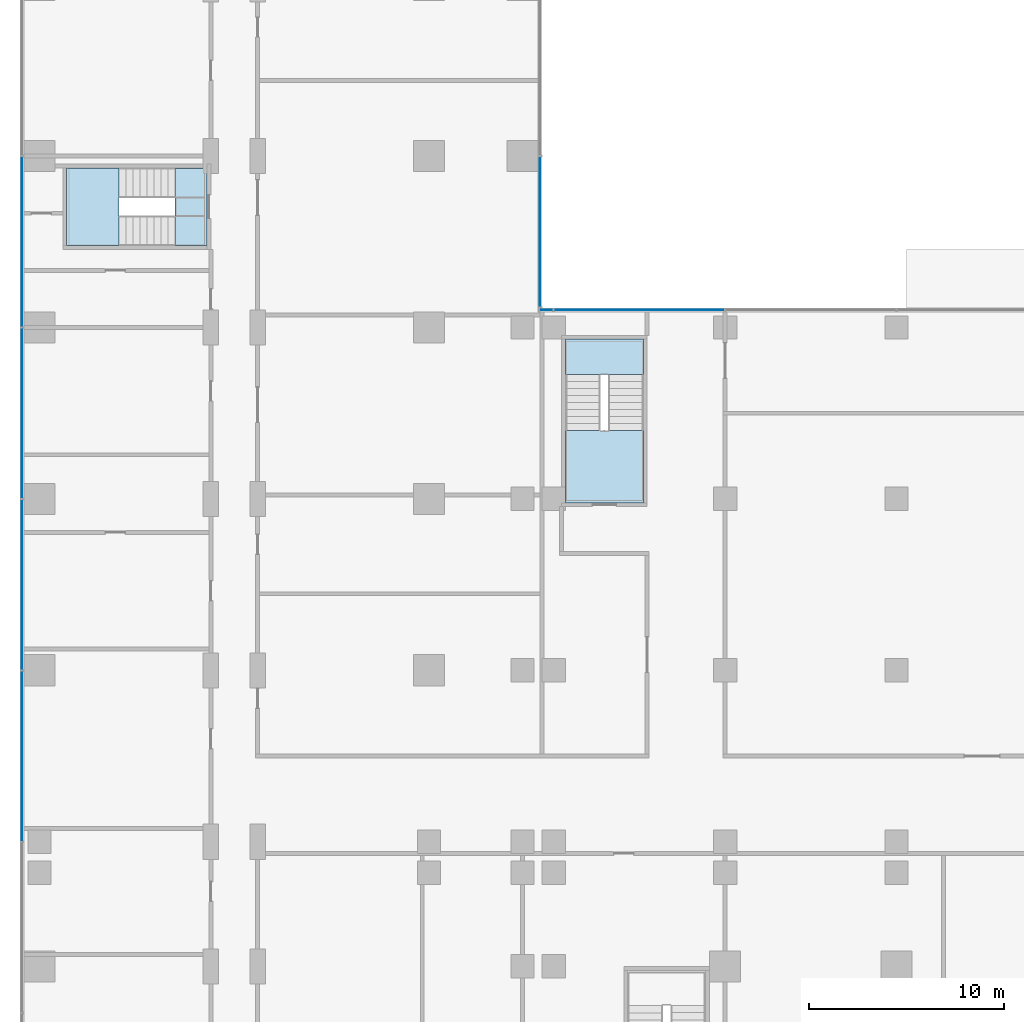
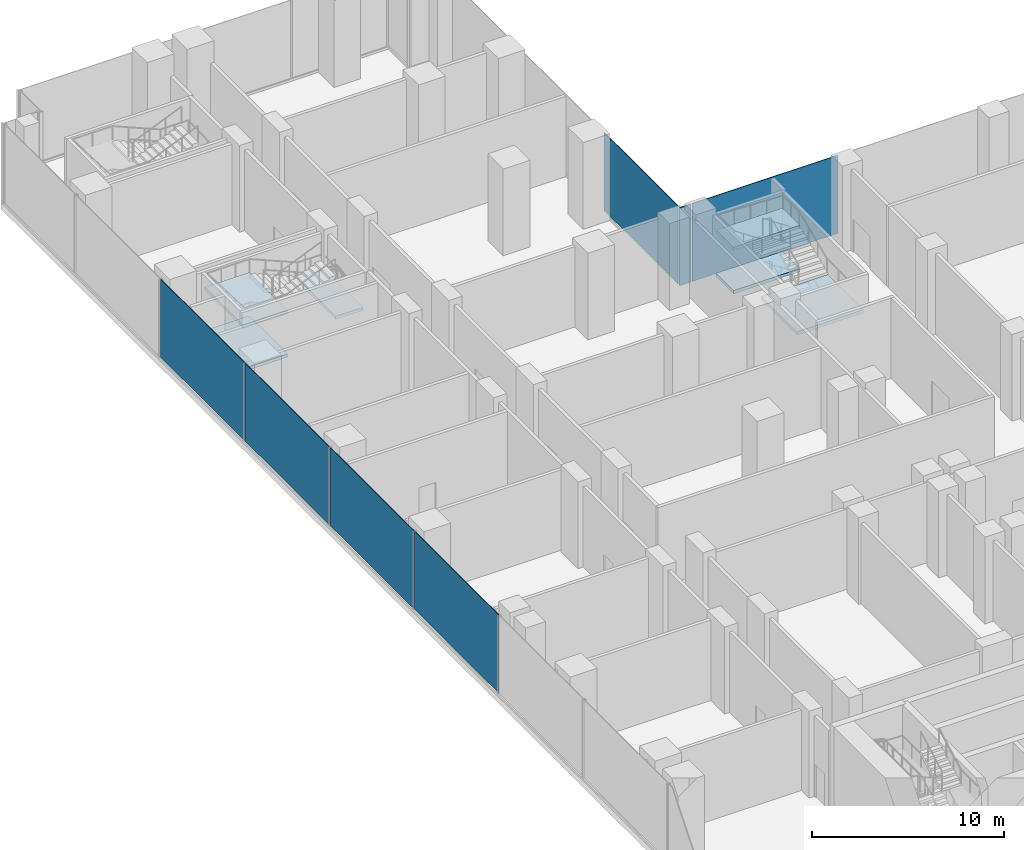
# One storey, part 14 of 30: 7 plates, 6 slabs, 5 elements without a shape of their own.
"""IFC4 building model written with IfcOpenShell, lengths in metres."""

from ifc_helpers import new_model, si_unit, direction, frame, origin, origin_2d, place, context, subcontext, project, spatial, polyline, rectangle, outline, extrude, source, transform, mapped, material, layer, layer_set, type_object, element, aggregate, save


model = new_model("IFC4")

# Units and contexts
model_context = context("Model", 3, precision=1e-05, world=origin(), true_north=direction((0.0, 1.0)))
body_context = subcontext(model_context, "Body", "Model", "MODEL_VIEW")
ifc_project = project(units=[si_unit("LENGTHUNIT", "METRE"), si_unit("AREAUNIT", "SQUARE_METRE"), si_unit("VOLUMEUNIT", "CUBIC_METRE"), si_unit("PLANEANGLEUNIT", "RADIAN"), si_unit("MASSUNIT", "GRAM", prefix="KILO")], contexts=[model_context])

# Site, building, storey
site_placement = place(None, origin())
site = spatial("IfcSite", under=ifc_project, at=site_placement, CompositionType="ELEMENT")
building_placement = place(site_placement, origin())
building = spatial("IfcBuilding", under=site, at=building_placement, Name="Kemantara Hotel Tower", CompositionType="ELEMENT")
storey_placement = place(building_placement, frame((0.0, 0.0, 7.5)))
storey = spatial("IfcBuildingStorey", under=building, at=storey_placement, Name="L01", CompositionType="ELEMENT", Elevation=7.5)

# Stair, slabs
ifc_material_1 = material(Name="Concrete fc 40 MPa", Category="concrete")
stair_type_1 = type_object("IfcStairType", Name="Stair 1550 wide 36 risers of 153 x 360 mm", PredefinedType="HALF_TURN_STAIR", material=ifc_material_1)
stair_1_placement = place(storey_placement, origin())
stair_1 = element("IfcStair", 1, at=stair_1_placement, inside=storey, type_object=stair_type_1, Name="L01 Exit stair ST4", PredefinedType="HALF_TURN_STAIR")
ifc_layer_1 = layer(ifc_material_1, 0.199951171875)
ifc_layer_set_1 = layer_set([ifc_layer_1], Name="Concrete fc 40 MPa")
slab_type = type_object("IfcSlabType", Name="Stair landing 200 mm", PredefinedType="LANDING", material=ifc_layer_set_1)
slab_1_placement = place(storey_placement, frame((0.0, 0.0, 1.175048828125)))
slab_1 = element("IfcSlab", 2, at=slab_1_placement, type_object=slab_type, Name="ST4 landing 1", PredefinedType="LANDING", context=body_context, shape_type="SweptSolid", body=[
    extrude(outline(polyline([(5.070068359375, 62.0), (2.39990234375, 62.0), (2.39990234375, 58.0), (5.070068359375, 58.0), (5.070068359375, 62.0)])), origin(), (0.0, 0.0, 1.0), 0.199951171875),
])
slab_2_placement = place(storey_placement, frame((0.0, 0.0, 2.550048828125)))
slab_2 = element("IfcSlab", 3, at=slab_2_placement, type_object=slab_type, Name="ST4 landing 2", PredefinedType="LANDING", context=body_context, shape_type="SweptSolid", body=[
    extrude(outline(polyline([(9.60009765625, 62.0), (7.949951171875, 62.0), (7.949951171875, 58.0), (9.60009765625, 58.0), (9.60009765625, 62.0)])), origin(), (0.0, 0.0, 1.0), 0.199951171875),
])
slab_3_placement = place(storey_placement, frame((0.0, 0.0, 3.925048828125)))
slab_3 = element("IfcSlab", 4, at=slab_3_placement, type_object=slab_type, Name="ST4 landing 3", PredefinedType="LANDING", context=body_context, shape_type="SweptSolid", body=[
    extrude(outline(polyline([(5.070068359375, 62.0), (2.39990234375, 62.0), (2.39990234375, 58.0), (5.070068359375, 58.0), (5.070068359375, 62.0)])), origin(), (0.0, 0.0, 1.0), 0.199951171875),
])
aggregate(stair_1, [slab_1, slab_2, slab_3])

stair_type_2 = type_object("IfcStairType", Name="Stair 1800 wide 36 risers of 153 x 360 mm", PredefinedType="HALF_TURN_STAIR", material=ifc_material_1)
stair_2_placement = place(storey_placement, origin())
stair_2 = element("IfcStair", 5, at=stair_2_placement, inside=storey, type_object=stair_type_2, Name="L01 Stair PS2", PredefinedType="HALF_TURN_STAIR")
slab_4_placement = place(storey_placement, frame((0.0, 0.0, 1.175048828125)))
slab_4 = element("IfcSlab", 6, at=slab_4_placement, type_object=slab_type, Name="PS2 landing 1", PredefinedType="LANDING", context=body_context, shape_type="SweptSolid", body=[
    extrude(outline(polyline([(32.0, 51.3798828125), (32.0, 53.199951171875), (28.0, 53.199951171875), (28.0, 51.3798828125), (32.0, 51.3798828125)])), origin(), (0.0, 0.0, 1.0), 0.199951171875),
])
slab_5_placement = place(storey_placement, frame((0.0, 0.0, 2.550048828125)))
slab_5 = element("IfcSlab", 7, at=slab_5_placement, type_object=slab_type, Name="PS2 landing 2", PredefinedType="LANDING", context=body_context, shape_type="SweptSolid", body=[
    extrude(outline(polyline([(32.0, 44.800048828125), (32.0, 48.5), (28.0, 48.5), (28.0, 44.800048828125), (32.0, 44.800048828125)])), origin(), (0.0, 0.0, 1.0), 0.199951171875),
])
slab_6_placement = place(storey_placement, frame((0.0, 0.0, 3.925048828125)))
slab_6 = element("IfcSlab", 8, at=slab_6_placement, type_object=slab_type, Name="PS2 landing 3", PredefinedType="LANDING", context=body_context, shape_type="SweptSolid", body=[
    extrude(outline(polyline([(32.0, 51.3798828125), (32.0, 53.199951171875), (28.0, 53.199951171875), (28.0, 51.3798828125), (32.0, 51.3798828125)])), origin(), (0.0, 0.0, 1.0), 0.199951171875),
])
aggregate(stair_2, [slab_4, slab_5, slab_6])

# Curtain wall, plate
ifc_material_2 = material(Name="Laminated tinted insulated glass 44 mm", Category="glass")
curtain_wall_type = type_object("IfcCurtainWallType", Name="PODIUM GLASS CURTAIN WALL", PredefinedType="USERDEFINED", material=ifc_material_2)
curtain_wall_1_placement = place(storey_placement, origin())
curtain_wall_1 = element("IfcCurtainWall", 9, at=curtain_wall_1_placement, inside=storey, type_object=curtain_wall_type, Name="CW1 L01 POD-R09-1", ObjectType="PODIUM GLASS CURTAIN WALL", PredefinedType="USERDEFINED")
ifc_layer_2 = layer(ifc_material_2, 0.0439453125)
ifc_layer_set_2 = layer_set([ifc_layer_2], Name="Laminated tinted insulated glass 44 mm")
plate_type = type_object("IfcPlateType", Name="PODIUM GLASS CURTAIN WALL PANEL", PredefinedType="CURTAIN_PANEL", material=ifc_layer_set_2)
shared_shape_1 = source(origin(), body_context, "Body", "SweptSolid", [
    extrude(rectangle(XDim=8.72509765625, YDim=0.0439453125, at=origin_2d()), origin(), (0.0, 0.0, 1.0), 4.949951171875),
])
plate_1_placement = place(storey_placement, frame((31.800048828125, 54.699951171875, 0.14990234375), z_axis=(0.0, 0.0, 1.0), x_axis=(-1.0, 0.0, 0.0)))
plate_1 = element("IfcPlate", 10, at=plate_1_placement, type_object=plate_type, Name="CW1 glass panel POD-R09-1.5", PredefinedType="CURTAIN_PANEL", context=body_context, shape_type="MappedRepresentation", body=[
    mapped(shared_shape_1, transform((0.0, 0.0, 0.0))),
])

# Curtain wall, plates
curtain_wall_2_placement = place(storey_placement, origin())
curtain_wall_2 = element("IfcCurtainWall", 11, at=curtain_wall_2_placement, inside=storey, type_object=curtain_wall_type, Name="CW1 L01 POD-R16-1", ObjectType="PODIUM GLASS CURTAIN WALL", PredefinedType="USERDEFINED")
plate_2_placement = place(storey_placement, frame((0.10009765625, 58.199951171875, 0.14990234375), z_axis=(0.0, 0.0, 1.0), x_axis=(0.0, -1.0, 0.0)))
plate_2 = element("IfcPlate", 12, at=plate_2_placement, type_object=plate_type, Name="CW1 glass panel POD-R16-1.3", PredefinedType="CURTAIN_PANEL", context=body_context, shape_type="MappedRepresentation", body=[
    mapped(shared_shape_1, transform((0.0, 0.0, 0.0))),
])
plate_3_placement = place(storey_placement, frame((0.10009765625, 49.39990234375, 0.14990234375), z_axis=(0.0, 0.0, 1.0), x_axis=(0.0, -1.0, 0.0)))
plate_3 = element("IfcPlate", 13, at=plate_3_placement, type_object=plate_type, Name="CW1 glass panel POD-R16-1.4", PredefinedType="CURTAIN_PANEL", context=body_context, shape_type="MappedRepresentation", body=[
    mapped(shared_shape_1, transform((0.0, 0.0, 0.0))),
])
plate_4_placement = place(storey_placement, frame((0.10009765625, 40.60009765625, 0.14990234375), z_axis=(0.0, 0.0, 1.0), x_axis=(0.0, -1.0, 0.0)))
plate_4 = element("IfcPlate", 14, at=plate_4_placement, type_object=plate_type, Name="CW1 glass panel POD-R16-1.5", PredefinedType="CURTAIN_PANEL", context=body_context, shape_type="MappedRepresentation", body=[
    mapped(shared_shape_1, transform((0.0, 0.0, 0.0))),
])
plate_5_placement = place(storey_placement, frame((0.10009765625, 31.800048828125, 0.14990234375), z_axis=(0.0, 0.0, 1.0), x_axis=(0.0, -1.0, 0.0)))
plate_5 = element("IfcPlate", 15, at=plate_5_placement, type_object=plate_type, Name="CW1 glass panel POD-R16-1.6", PredefinedType="CURTAIN_PANEL", context=body_context, shape_type="MappedRepresentation", body=[
    mapped(shared_shape_1, transform((0.0, 0.0, 0.0))),
])
aggregate(curtain_wall_2, [plate_2, plate_3, plate_4, plate_5])

# Plate
shared_shape_2 = source(origin(), body_context, "Body", "SweptSolid", [
    extrude(rectangle(XDim=0.6875, YDim=0.0439453125, at=origin_2d()), origin(), (0.0, 0.0, 1.0), 4.949951171875),
])
plate_6_placement = place(storey_placement, frame((27.018798828125, 54.699951171875, 0.14990234375), z_axis=(0.0, 0.0, 1.0), x_axis=(-1.0, 0.0, 0.0)))
plate_6 = element("IfcPlate", 16, at=plate_6_placement, type_object=plate_type, Name="CW1 glass panel POD-R09-1.6", PredefinedType="CURTAIN_PANEL", context=body_context, shape_type="MappedRepresentation", body=[
    mapped(shared_shape_2, transform((0.0, 0.0, 0.0))),
])

aggregate(curtain_wall_1, [plate_1, plate_6])

# Curtain wall, plate
curtain_wall_3_placement = place(storey_placement, origin())
curtain_wall_3 = element("IfcCurtainWall", 17, at=curtain_wall_3_placement, inside=storey, type_object=curtain_wall_type, Name="CW1 L01 POD-R10-1", ObjectType="PODIUM GLASS CURTAIN WALL", PredefinedType="USERDEFINED")
shared_shape_3 = source(origin(), body_context, "Body", "SweptSolid", [
    extrude(rectangle(XDim=7.6875, YDim=0.0439453125, at=origin_2d()), origin(), (0.0, 0.0, 1.0), 4.949951171875),
])
plate_7_placement = place(storey_placement, frame((26.699951171875, 58.71875, 0.14990234375), z_axis=(0.0, 0.0, 1.0), x_axis=(0.0, 1.0, 0.0)))
plate_7 = element("IfcPlate", 18, at=plate_7_placement, type_object=plate_type, Name="CW1 glass panel POD-R10-1.1", PredefinedType="CURTAIN_PANEL", context=body_context, shape_type="MappedRepresentation", body=[
    mapped(shared_shape_3, transform((0.0, 0.0, 0.0))),
])
aggregate(curtain_wall_3, [plate_7])

save(model, "model.ifc")
